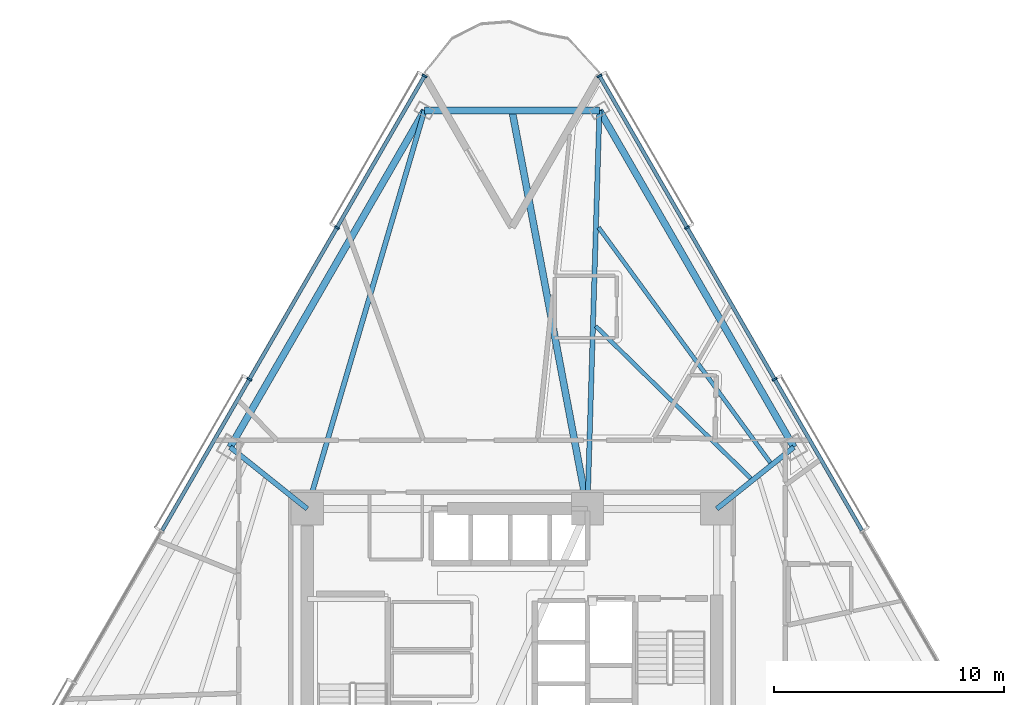
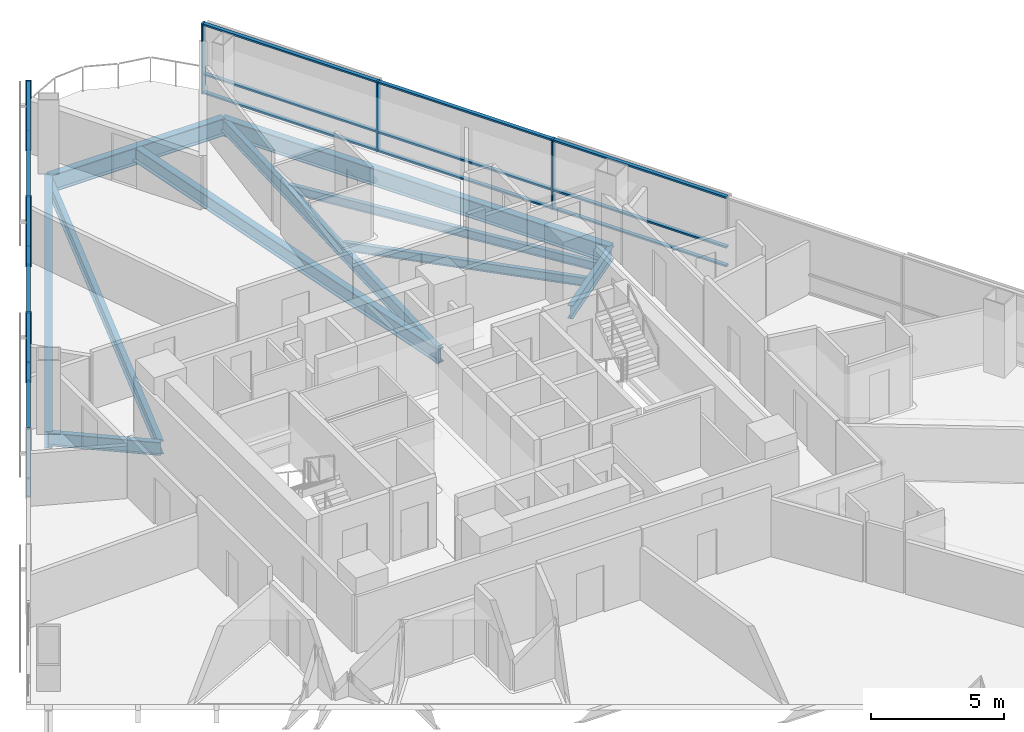
# One storey, part 5 of 17: 24 members, 10 beams, 2 elements without a shape of their own.
"""IFC4 building model written with IfcOpenShell, lengths in metres."""

from ifc_helpers import new_model, si_unit, direction, frame, origin, origin_2d, place, context, subcontext, project, spatial, rectangle, i_section, extrude, material, layer, layer_set, material_profile, profile_set, type_object, element, aggregate, save


model = new_model("IFC4")

# Units and contexts
model_context = context("Model", 3, precision=1e-05, world=origin(), true_north=direction((0.0, 1.0)))
body_context = subcontext(model_context, "Body", "Model", "MODEL_VIEW")
ifc_project = project(units=[si_unit("LENGTHUNIT", "METRE"), si_unit("AREAUNIT", "SQUARE_METRE"), si_unit("VOLUMEUNIT", "CUBIC_METRE"), si_unit("PLANEANGLEUNIT", "RADIAN"), si_unit("MASSUNIT", "GRAM", prefix="KILO")], contexts=[model_context])

# Site, building, storey
site_placement = place(None, origin())
site = spatial("IfcSite", under=ifc_project, at=site_placement, CompositionType="ELEMENT")
building_placement = place(site_placement, origin())
building = spatial("IfcBuilding", under=site, at=building_placement, Name="Tharavind Bronze Gate", CompositionType="ELEMENT")
storey_placement = place(building_placement, frame((0.0, 0.0, 35.25)))
storey = spatial("IfcBuildingStorey", under=building, at=storey_placement, Name="L07", CompositionType="ELEMENT", Elevation=35.25)

# Curtain wall, members
ifc_material_1 = material(Name="Anodised Bronze Aluminium", Category="aluminium")
ifc_layer = layer(ifc_material_1, 0.219970703125)
ifc_layer_set = layer_set([ifc_layer], Name="Anodised Bronze Aluminium")
curtain_wall_type = type_object("IfcCurtainWallType", Name="UNITISED CURTAIN WALL HOTEL", PredefinedType="USERDEFINED", material=ifc_layer_set)
curtain_wall_1_placement = place(storey_placement, origin())
curtain_wall_1 = element("IfcCurtainWall", 1, at=curtain_wall_1_placement, inside=storey, type_object=curtain_wall_type, Name="L07 unitised curtain wall hotel CW-L07-S1", ObjectType="UNITISED CURTAIN WALL", PredefinedType="USERDEFINED")
member_type_1 = type_object("IfcMemberType", Name="CURTAIN WALL MULLION 80X220", PredefinedType="MULLION", material=ifc_material_1)
member_1_placement = place(storey_placement, frame((-3.800048828125, 26.418212890625, 0.0), z_axis=(0.0, 0.0, 1.0), x_axis=(-0.500001511499, -0.866024531118, 0.0)))
member_1 = element("IfcMember", 2, at=member_1_placement, type_object=member_type_1, Name="CW-L07-S1 mullion 1", PredefinedType="MULLION", context=body_context, shape_type="SweptSolid", body=[
    extrude(rectangle(XDim=0.080078125, YDim=0.219970703125, at=origin_2d()), origin(), (0.0, 0.0, 1.0), 3.22509765625),
])
member_2_placement = place(storey_placement, frame((-7.60791015625, 19.822509765625, 0.0), z_axis=(0.0, 0.0, 1.0), x_axis=(-0.500001511499, -0.866024531118, 0.0)))
member_2 = element("IfcMember", 3, at=member_2_placement, type_object=member_type_1, Name="CW-L07-S1 mullion 2", PredefinedType="MULLION", context=body_context, shape_type="SweptSolid", body=[
    extrude(rectangle(XDim=0.080078125, YDim=0.219970703125, at=origin_2d()), origin(), (0.0, 0.0, 1.0), 3.22509765625),
])
member_3_placement = place(storey_placement, frame((-11.416015625, 13.22705078125, 0.0), z_axis=(0.0, 0.0, 1.0), x_axis=(-0.500001511499, -0.866024531118, 0.0)))
member_3 = element("IfcMember", 4, at=member_3_placement, type_object=member_type_1, Name="CW-L07-S1 mullion 3", PredefinedType="MULLION", context=body_context, shape_type="SweptSolid", body=[
    extrude(rectangle(XDim=0.080078125, YDim=0.219970703125, at=origin_2d()), origin(), (0.0, 0.0, 1.0), 3.22509765625),
])

curtain_wall_2_placement = place(storey_placement, origin())
curtain_wall_2 = element("IfcCurtainWall", 5, at=curtain_wall_2_placement, inside=storey, type_object=curtain_wall_type, Name="L07 unitised curtain wall hotel CW-L07-S3", ObjectType="UNITISED CURTAIN WALL", PredefinedType="USERDEFINED")
member_4_placement = place(storey_placement, frame((11.416015625, 13.22705078125, 0.0), z_axis=(0.0, 0.0, 1.0), x_axis=(-0.500001511499, 0.866024531118, 0.0)))
member_4 = element("IfcMember", 6, at=member_4_placement, type_object=member_type_1, Name="CW-L07-S3 mullion 6", PredefinedType="MULLION", context=body_context, shape_type="SweptSolid", body=[
    extrude(rectangle(XDim=0.080078125, YDim=0.219970703125, at=origin_2d()), origin(), (0.0, 0.0, 1.0), 3.22509765625),
])
member_5_placement = place(storey_placement, frame((7.60791015625, 19.822509765625, 0.0), z_axis=(0.0, 0.0, 1.0), x_axis=(-0.500001511499, 0.866024531118, 0.0)))
member_5 = element("IfcMember", 7, at=member_5_placement, type_object=member_type_1, Name="CW-L07-S3 mullion 7", PredefinedType="MULLION", context=body_context, shape_type="SweptSolid", body=[
    extrude(rectangle(XDim=0.080078125, YDim=0.219970703125, at=origin_2d()), origin(), (0.0, 0.0, 1.0), 3.22509765625),
])
member_6_placement = place(storey_placement, frame((3.800048828125, 26.418212890625, 0.0), z_axis=(0.0, 0.0, 1.0), x_axis=(-0.500001511499, 0.866024531118, 0.0)))
member_6 = element("IfcMember", 8, at=member_6_placement, type_object=member_type_1, Name="CW-L07-S3 mullion 8", PredefinedType="MULLION", context=body_context, shape_type="SweptSolid", body=[
    extrude(rectangle(XDim=0.080078125, YDim=0.219970703125, at=origin_2d()), origin(), (0.0, 0.0, 1.0), 3.22509765625),
])

# Member
member_type_2 = type_object("IfcMemberType", Name="CURTAIN WALL TRANSOM 80X160", PredefinedType="USERDEFINED", material=ifc_material_1)
member_7_placement = place(storey_placement, frame((-5.7041015625, 23.120361328125, 0.0), z_axis=(0.0, 0.0, 1.0), x_axis=(-0.500001511499, -0.866024531118, 0.0)))
member_7 = element("IfcMember", 9, at=member_7_placement, type_object=member_type_2, Name="CW-L07-S1 transom TB1", ObjectType="TRANSOM", PredefinedType="USERDEFINED", context=body_context, shape_type="SweptSolid", body=[
    extrude(rectangle(XDim=7.5478515625, YDim=0.159912109375, at=origin_2d()), origin(), (0.0, 0.0, 1.0), 0.080078125),
])

member_8_placement = place(storey_placement, frame((-5.7041015625, 23.120361328125, 0.85986328125), z_axis=(0.0, 0.0, 1.0), x_axis=(-0.500001511499, -0.866024531118, 0.0)))
member_8 = element("IfcMember", 10, at=member_8_placement, type_object=member_type_2, Name="CW-L07-S1 transom TS1", ObjectType="TRANSOM", PredefinedType="USERDEFINED", context=body_context, shape_type="SweptSolid", body=[
    extrude(rectangle(XDim=7.5478515625, YDim=0.159912109375, at=origin_2d()), origin(), (0.0, 0.0, 1.0), 0.080078125),
])

member_9_placement = place(storey_placement, frame((-5.7041015625, 23.120361328125, 3.14501953125), z_axis=(0.0, 0.0, 1.0), x_axis=(-0.500001511499, -0.866024531118, 0.0)))
member_9 = element("IfcMember", 11, at=member_9_placement, type_object=member_type_2, Name="CW-L07-S1 transom TT1", ObjectType="TRANSOM", PredefinedType="USERDEFINED", context=body_context, shape_type="SweptSolid", body=[
    extrude(rectangle(XDim=7.5478515625, YDim=0.159912109375, at=origin_2d()), origin(), (0.0, 0.0, 1.0), 0.080078125),
])

member_10_placement = place(storey_placement, frame((-9.511962890625, 16.52490234375, 0.0), z_axis=(0.0, 0.0, 1.0), x_axis=(-0.500001511499, -0.866024531118, 0.0)))
member_10 = element("IfcMember", 12, at=member_10_placement, type_object=member_type_2, Name="CW-L07-S1 transom TB2", ObjectType="TRANSOM", PredefinedType="USERDEFINED", context=body_context, shape_type="SweptSolid", body=[
    extrude(rectangle(XDim=7.5478515625, YDim=0.159912109375, at=origin_2d()), origin(), (0.0, 0.0, 1.0), 0.080078125),
])

member_11_placement = place(storey_placement, frame((-9.511962890625, 16.52490234375, 0.85986328125), z_axis=(0.0, 0.0, 1.0), x_axis=(-0.500001511499, -0.866024531118, 0.0)))
member_11 = element("IfcMember", 13, at=member_11_placement, type_object=member_type_2, Name="CW-L07-S1 transom TS2", ObjectType="TRANSOM", PredefinedType="USERDEFINED", context=body_context, shape_type="SweptSolid", body=[
    extrude(rectangle(XDim=7.5478515625, YDim=0.159912109375, at=origin_2d()), origin(), (0.0, 0.0, 1.0), 0.080078125),
])

member_12_placement = place(storey_placement, frame((-9.511962890625, 16.52490234375, 3.14501953125), z_axis=(0.0, 0.0, 1.0), x_axis=(-0.500001511499, -0.866024531118, 0.0)))
member_12 = element("IfcMember", 14, at=member_12_placement, type_object=member_type_2, Name="CW-L07-S1 transom TT2", ObjectType="TRANSOM", PredefinedType="USERDEFINED", context=body_context, shape_type="SweptSolid", body=[
    extrude(rectangle(XDim=7.5478515625, YDim=0.159912109375, at=origin_2d()), origin(), (0.0, 0.0, 1.0), 0.080078125),
])

member_13_placement = place(storey_placement, frame((-13.31982421875, 9.92919921875, 0.0), z_axis=(0.0, 0.0, 1.0), x_axis=(-0.500001511499, -0.866024531118, 0.0)))
member_13 = element("IfcMember", 15, at=member_13_placement, type_object=member_type_2, Name="CW-L07-S1 transom TB3", ObjectType="TRANSOM", PredefinedType="USERDEFINED", context=body_context, shape_type="SweptSolid", body=[
    extrude(rectangle(XDim=7.5478515625, YDim=0.159912109375, at=origin_2d()), origin(), (0.0, 0.0, 1.0), 0.080078125),
])

member_14_placement = place(storey_placement, frame((-13.31982421875, 9.92919921875, 0.85986328125), z_axis=(0.0, 0.0, 1.0), x_axis=(-0.500001511499, -0.866024531118, 0.0)))
member_14 = element("IfcMember", 16, at=member_14_placement, type_object=member_type_2, Name="CW-L07-S1 transom TS3", ObjectType="TRANSOM", PredefinedType="USERDEFINED", context=body_context, shape_type="SweptSolid", body=[
    extrude(rectangle(XDim=7.5478515625, YDim=0.159912109375, at=origin_2d()), origin(), (0.0, 0.0, 1.0), 0.080078125),
])

member_15_placement = place(storey_placement, frame((-13.31982421875, 9.92919921875, 3.14501953125), z_axis=(0.0, 0.0, 1.0), x_axis=(-0.500001511499, -0.866024531118, 0.0)))
member_15 = element("IfcMember", 17, at=member_15_placement, type_object=member_type_2, Name="CW-L07-S1 transom TT3", ObjectType="TRANSOM", PredefinedType="USERDEFINED", context=body_context, shape_type="SweptSolid", body=[
    extrude(rectangle(XDim=7.5478515625, YDim=0.159912109375, at=origin_2d()), origin(), (0.0, 0.0, 1.0), 0.080078125),
])

aggregate(curtain_wall_1, [member_1, member_2, member_3, member_7, member_8, member_9, member_10, member_11, member_12, member_13, member_14, member_15])

member_16_placement = place(storey_placement, frame((13.31982421875, 9.92919921875, 0.0), z_axis=(0.0, 0.0, 1.0), x_axis=(-0.500001511499, 0.866024531118, 0.0)))
member_16 = element("IfcMember", 18, at=member_16_placement, type_object=member_type_2, Name="CW-L07-S3 transom TB5", ObjectType="TRANSOM", PredefinedType="USERDEFINED", context=body_context, shape_type="SweptSolid", body=[
    extrude(rectangle(XDim=7.5478515625, YDim=0.159912109375, at=origin_2d()), origin(), (0.0, 0.0, 1.0), 0.080078125),
])

member_17_placement = place(storey_placement, frame((13.31982421875, 9.92919921875, 0.85986328125), z_axis=(0.0, 0.0, 1.0), x_axis=(-0.500001511499, 0.866024531118, 0.0)))
member_17 = element("IfcMember", 19, at=member_17_placement, type_object=member_type_2, Name="CW-L07-S3 transom TS5", ObjectType="TRANSOM", PredefinedType="USERDEFINED", context=body_context, shape_type="SweptSolid", body=[
    extrude(rectangle(XDim=7.5478515625, YDim=0.159912109375, at=origin_2d()), origin(), (0.0, 0.0, 1.0), 0.080078125),
])

member_18_placement = place(storey_placement, frame((13.31982421875, 9.92919921875, 3.14501953125), z_axis=(0.0, 0.0, 1.0), x_axis=(-0.500001511499, 0.866024531118, 0.0)))
member_18 = element("IfcMember", 20, at=member_18_placement, type_object=member_type_2, Name="CW-L07-S3 transom TT5", ObjectType="TRANSOM", PredefinedType="USERDEFINED", context=body_context, shape_type="SweptSolid", body=[
    extrude(rectangle(XDim=7.5478515625, YDim=0.159912109375, at=origin_2d()), origin(), (0.0, 0.0, 1.0), 0.080078125),
])

member_19_placement = place(storey_placement, frame((9.511962890625, 16.52490234375, 0.0), z_axis=(0.0, 0.0, 1.0), x_axis=(-0.500001511499, 0.866024531118, 0.0)))
member_19 = element("IfcMember", 21, at=member_19_placement, type_object=member_type_2, Name="CW-L07-S3 transom TB6", ObjectType="TRANSOM", PredefinedType="USERDEFINED", context=body_context, shape_type="SweptSolid", body=[
    extrude(rectangle(XDim=7.5478515625, YDim=0.159912109375, at=origin_2d()), origin(), (0.0, 0.0, 1.0), 0.080078125),
])

member_20_placement = place(storey_placement, frame((9.511962890625, 16.52490234375, 0.85986328125), z_axis=(0.0, 0.0, 1.0), x_axis=(-0.500001511499, 0.866024531118, 0.0)))
member_20 = element("IfcMember", 22, at=member_20_placement, type_object=member_type_2, Name="CW-L07-S3 transom TS6", ObjectType="TRANSOM", PredefinedType="USERDEFINED", context=body_context, shape_type="SweptSolid", body=[
    extrude(rectangle(XDim=7.5478515625, YDim=0.159912109375, at=origin_2d()), origin(), (0.0, 0.0, 1.0), 0.080078125),
])

member_21_placement = place(storey_placement, frame((9.511962890625, 16.52490234375, 3.14501953125), z_axis=(0.0, 0.0, 1.0), x_axis=(-0.500001511499, 0.866024531118, 0.0)))
member_21 = element("IfcMember", 23, at=member_21_placement, type_object=member_type_2, Name="CW-L07-S3 transom TT6", ObjectType="TRANSOM", PredefinedType="USERDEFINED", context=body_context, shape_type="SweptSolid", body=[
    extrude(rectangle(XDim=7.5478515625, YDim=0.159912109375, at=origin_2d()), origin(), (0.0, 0.0, 1.0), 0.080078125),
])

member_22_placement = place(storey_placement, frame((5.7041015625, 23.120361328125, 0.0), z_axis=(0.0, 0.0, 1.0), x_axis=(-0.500001511499, 0.866024531118, 0.0)))
member_22 = element("IfcMember", 24, at=member_22_placement, type_object=member_type_2, Name="CW-L07-S3 transom TB7", ObjectType="TRANSOM", PredefinedType="USERDEFINED", context=body_context, shape_type="SweptSolid", body=[
    extrude(rectangle(XDim=7.5478515625, YDim=0.159912109375, at=origin_2d()), origin(), (0.0, 0.0, 1.0), 0.080078125),
])

member_23_placement = place(storey_placement, frame((5.7041015625, 23.120361328125, 0.85986328125), z_axis=(0.0, 0.0, 1.0), x_axis=(-0.500001511499, 0.866024531118, 0.0)))
member_23 = element("IfcMember", 25, at=member_23_placement, type_object=member_type_2, Name="CW-L07-S3 transom TS7", ObjectType="TRANSOM", PredefinedType="USERDEFINED", context=body_context, shape_type="SweptSolid", body=[
    extrude(rectangle(XDim=7.5478515625, YDim=0.159912109375, at=origin_2d()), origin(), (0.0, 0.0, 1.0), 0.080078125),
])

member_24_placement = place(storey_placement, frame((5.7041015625, 23.120361328125, 3.14501953125), z_axis=(0.0, 0.0, 1.0), x_axis=(-0.500001511499, 0.866024531118, 0.0)))
member_24 = element("IfcMember", 26, at=member_24_placement, type_object=member_type_2, Name="CW-L07-S3 transom TT7", ObjectType="TRANSOM", PredefinedType="USERDEFINED", context=body_context, shape_type="SweptSolid", body=[
    extrude(rectangle(XDim=7.5478515625, YDim=0.159912109375, at=origin_2d()), origin(), (0.0, 0.0, 1.0), 0.080078125),
])

aggregate(curtain_wall_2, [member_4, member_5, member_6, member_16, member_17, member_18, member_19, member_20, member_21, member_22, member_23, member_24])

# Beams
ifc_material_2 = material(Name="Steel S355", Category="steel")
ifc_material_profile_1 = material_profile(ifc_material_2, i_section(OverallWidth=0.300048828125, OverallDepth=0.64990234375, WebThickness=0.01611328125, FlangeThickness=0.031005859375, at=origin_2d()), Name="HE650B")
ifc_profile_set_1 = profile_set([ifc_material_profile_1], Name="Steel S355")
beam_type_1 = type_object("IfcBeamType", Name="PRIMARY GIRDER HE650B", PredefinedType="USERDEFINED", material=ifc_profile_set_1)
beam_1_placement = place(storey_placement, frame((3.280029296875, 7.60009765625, -0.5), z_axis=(-0.186090445171, 0.982532618398, 0.0), x_axis=(-0.982532618398, -0.186090445171, 0.0)))
element("IfcBeam", 27, at=beam_1_placement, inside=storey, type_object=beam_type_1, Name="L07 primary girder he650b BM-L07-BLCSB", ObjectType="GIRDER", PredefinedType="USERDEFINED", context=body_context, shape_type="SweptSolid", body=[
    extrude(i_section(OverallWidth=0.300048828125, OverallDepth=0.64990234375, WebThickness=0.01611328125, FlangeThickness=0.031005859375, at=origin_2d()), origin(), (0.0, 0.0, 1.0), 17.6259765625),
])
ifc_material_profile_2 = material_profile(ifc_material_2, i_section(OverallWidth=0.219970703125, OverallDepth=0.60009765625, WebThickness=0.011962890625, FlangeThickness=0.01904296875, at=origin_2d()), Name="IPE600")
ifc_profile_set_2 = profile_set([ifc_material_profile_2], Name="Steel S355")
beam_type_2 = type_object("IfcBeamType", Name="PRIMARY GIRDER IPE600", PredefinedType="USERDEFINED", material=ifc_profile_set_2)
beam_2_placement = place(storey_placement, frame((-3.800048828125, 24.918212890625, -0.47509765625), z_axis=(-0.282486989934, -0.959271129826, 0.0), x_axis=(0.959271129826, -0.282486989934, 0.0)))
element("IfcBeam", 28, at=beam_2_placement, inside=storey, type_object=beam_type_2, Name="L07 primary girder ipe600 BM-L07-RAD01", ObjectType="GIRDER", PredefinedType="USERDEFINED", context=body_context, shape_type="SweptSolid", body=[
    extrude(i_section(OverallWidth=0.219970703125, OverallDepth=0.60009765625, WebThickness=0.011962890625, FlangeThickness=0.01904296875, at=origin_2d()), origin(), (0.0, 0.0, 1.0), 18.053466796875),
])
for number, where, z_axis, x_axis, name in (
    (29, (-12.252197265625, 10.278564453125, -0.47509765625), (0.781251676118, -0.62421616333, 0.0), (0.62421616333, 0.781251676118, 0.0), "L07 primary girder ipe600 BM-L07-RAD02"),
    (30, (12.252197265625, 10.278564453125, -0.47509765625), (-0.781251676118, -0.62421616333, 0.0), (0.62421616333, -0.781251676118, 0.0), "L07 primary girder ipe600 BM-L07-RAD11"),
):
    element("IfcBeam", number, at=place(storey_placement, frame(where, z_axis=z_axis, x_axis=x_axis)), inside=storey, type_object=beam_type_2, Name=name, ObjectType="GIRDER", PredefinedType="USERDEFINED", context=body_context, shape_type="SweptSolid", body=[
        extrude(i_section(OverallWidth=0.219970703125, OverallDepth=0.60009765625, WebThickness=0.011962890625, FlangeThickness=0.01904296875, at=origin_2d()), origin(), (0.0, 0.0, 1.0), 4.291015625),
    ])
beam_3_placement = place(storey_placement, frame((3.800048828125, 24.918212890625, -0.47509765625), z_axis=(-0.030013961958, -0.999549479559, 0.0), x_axis=(0.999549479559, -0.030013961958, 0.0)))
element("IfcBeam", 31, at=beam_3_placement, inside=storey, type_object=beam_type_2, Name="L07 primary girder ipe600 BM-L07-RAD12", ObjectType="GIRDER", PredefinedType="USERDEFINED", context=body_context, shape_type="SweptSolid", body=[
    extrude(i_section(OverallWidth=0.219970703125, OverallDepth=0.60009765625, WebThickness=0.011962890625, FlangeThickness=0.01904296875, at=origin_2d()), origin(), (0.0, 0.0, 1.0), 17.325927734375),
])
ifc_material_profile_3 = material_profile(ifc_material_2, i_section(OverallWidth=0.300048828125, OverallDepth=0.800048828125, WebThickness=0.017578125, FlangeThickness=0.032958984375, at=origin_2d()), Name="HE800B")
ifc_profile_set_3 = profile_set([ifc_material_profile_3], Name="Steel S355")
beam_type_3 = type_object("IfcBeamType", Name="RING GIRDER HE800B", PredefinedType="USERDEFINED", material=ifc_profile_set_3)
for number, where, z_axis, x_axis, name in (
    (32, (-3.800048828125, 24.918212890625, -0.574951171875), (-0.499997491977, -0.866026851788, 0.0), (0.866026851788, -0.499997491977, 0.0), "L07 ring girder he800b BM-L07-PRG01"),
    (33, (12.252197265625, 10.278564453125, -0.574951171875), (-0.499997491977, 0.866026851788, 0.0), (-0.866026851788, -0.499997491977, 0.0), "L07 ring girder he800b BM-L07-PRG11"),
):
    element("IfcBeam", number, at=place(storey_placement, frame(where, z_axis=z_axis, x_axis=x_axis)), inside=storey, type_object=beam_type_3, Name=name, ObjectType="GIRDER", PredefinedType="USERDEFINED", context=body_context, shape_type="SweptSolid", body=[
        extrude(i_section(OverallWidth=0.300048828125, OverallDepth=0.800048828125, WebThickness=0.017578125, FlangeThickness=0.032958984375, at=origin_2d()), origin(), (0.0, 0.0, 1.0), 16.904296875),
    ])
beam_4_placement = place(storey_placement, frame((3.800048828125, 24.918212890625, -0.574951171875), z_axis=(-1.0, 0.0, 0.0), x_axis=(0.0, -1.0, 0.0)))
element("IfcBeam", 34, at=beam_4_placement, inside=storey, type_object=beam_type_3, Name="L07 ring girder he800b BM-L07-PRG12", ObjectType="GIRDER", PredefinedType="USERDEFINED", context=body_context, shape_type="SweptSolid", body=[
    extrude(i_section(OverallWidth=0.300048828125, OverallDepth=0.800048828125, WebThickness=0.017578125, FlangeThickness=0.032958984375, at=origin_2d()), origin(), (0.0, 0.0, 1.0), 7.60009765625),
])
ifc_material_profile_4 = material_profile(ifc_material_2, i_section(OverallWidth=0.179931640625, OverallDepth=0.39990234375, WebThickness=0.008544921875, FlangeThickness=0.013427734375, at=origin_2d()), Name="IPE400")
ifc_profile_set_4 = profile_set([ifc_material_profile_4], Name="Steel S355")
beam_type_4 = type_object("IfcBeamType", Name="SECONDARY FLOOR JOIST IPE400", PredefinedType="JOIST", material=ifc_profile_set_4)
beam_5_placement = place(storey_placement, frame((10.376953125, 8.92578125, -0.375), z_axis=(-0.713727372998, 0.700423612561, 0.0), x_axis=(-0.700423612561, -0.713727372998, 0.0)))
element("IfcBeam", 35, at=beam_5_placement, inside=storey, type_object=beam_type_4, Name="L07 secondary floor joist ipe400 BM-L07-JSTA11", PredefinedType="JOIST", context=body_context, shape_type="SweptSolid", body=[
    extrude(i_section(OverallWidth=0.179931640625, OverallDepth=0.39990234375, WebThickness=0.008544921875, FlangeThickness=0.013427734375, at=origin_2d()), origin(), (0.0, 0.0, 1.0), 9.450927734375),
])
beam_6_placement = place(storey_placement, frame((11.2294921875, 9.607421875, -0.375), z_axis=(-0.589794717955, 0.807553212285, 0.0), x_axis=(-0.807553212285, -0.589794717955, 0.0)))
element("IfcBeam", 36, at=beam_6_placement, inside=storey, type_object=beam_type_4, Name="L07 secondary floor joist ipe400 BM-L07-JSTB11", PredefinedType="JOIST", context=body_context, shape_type="SweptSolid", body=[
    extrude(i_section(OverallWidth=0.179931640625, OverallDepth=0.39990234375, WebThickness=0.008544921875, FlangeThickness=0.013427734375, at=origin_2d()), origin(), (0.0, 0.0, 1.0), 12.66455078125),
])

save(model, "model.ifc")
